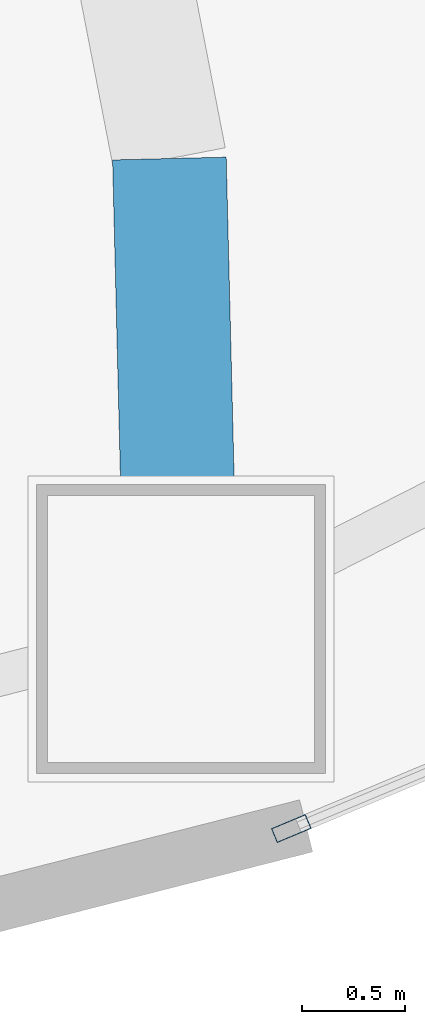
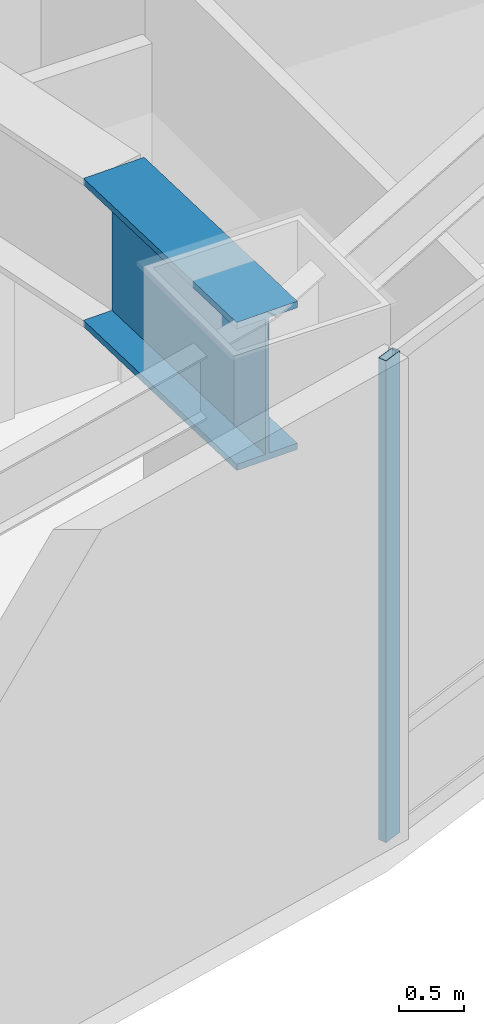
# One storey, part 2 of 19: 1 beam, 1 member, 1 element without a shape of its own.
"""IFC4 building model written with IfcOpenShell, lengths in metres."""

import ifcopenshell
import ifcopenshell.guid

model = None  # the IFC model being written
_history = None  # IfcOwnerHistory: only IFC2X3 demands one
_inside = {}  # id of a spatial element -> (the spatial element, [elements in it])
_under = {}  # id of a project, library or spatial element -> (it, [spatial elements below it])
_declared = {}  # id of a project -> (the project, [libraries it declares])
_typed = {}  # id of a type object -> (the type object, [elements of that type])
_made_of = {}  # id of a material, layer set ... -> (it, [elements and type objects made of it])


def new_model(schema):
    """Start an empty IFC model of exactly this schema.

    Asked for "IFC4X3", IfcOpenShell would pick the latest addendum, in which some entities
    have other attributes; the version numbers below select the first issue.
    IFC2X3 requires an IfcOwnerHistory on every rooted entity: one is made here for all.
    """
    global model, _history
    if schema == "IFC4X3":
        model = ifcopenshell.file(schema_version=(4, 3, 0, 0))
    else:
        model = ifcopenshell.file(schema=schema)
    _inside.clear()
    _under.clear()
    _declared.clear()
    _typed.clear()
    _made_of.clear()
    _history = None
    if model.schema == "IFC2X3":
        org = make("IfcOrganization", Name="unknown")
        user = make(
            "IfcPersonAndOrganization",
            ThePerson=make("IfcPerson", FamilyName="unknown"),
            TheOrganization=org,
        )
        app = make(
            "IfcApplication",
            ApplicationDeveloper=org,
            Version="unknown",
            ApplicationFullName="unknown",
            ApplicationIdentifier="unknown",
        )
        _history = make(
            "IfcOwnerHistory",
            OwningUser=user,
            OwningApplication=app,
            ChangeAction="ADDED",
            CreationDate=0,
        )
    return model


def make(cls, **values):
    """One entity of the class cls with the attributes given. An attribute that is None is left unset."""
    return model.create_entity(
        cls, **{name: value for name, value in values.items() if value is not None}
    )


def rooted(cls, **values):
    """An entity with a GlobalId (a new one), such as an element, a storey or a relation."""
    return make(cls, GlobalId=ifcopenshell.guid.new(), OwnerHistory=_history, **values)


def si_unit(unit_type, name, prefix=None):
    """IfcSIUnit, for example si_unit("LENGTHUNIT", "METRE", prefix="MILLI")."""
    return make("IfcSIUnit", UnitType=unit_type, Prefix=prefix, Name=name)


def assignment(units):
    """IfcUnitAssignment: the units of a project."""
    return None if units is None else make("IfcUnitAssignment", Units=units)


def point(xyz):
    """IfcCartesianPoint."""
    return None if xyz is None else make("IfcCartesianPoint", Coordinates=xyz)


def direction(xyz):
    """IfcDirection."""
    return None if xyz is None else make("IfcDirection", DirectionRatios=xyz)


def frame(location, z_axis=None, x_axis=None):
    """IfcAxis2Placement3D, a coordinate frame: its origin and axes. An axis left out is left unset."""
    return make(
        "IfcAxis2Placement3D",
        Location=point(location),
        Axis=direction(z_axis),
        RefDirection=direction(x_axis),
    )


def frame_2d(location, x_axis=None):
    """IfcAxis2Placement2D, a coordinate frame in the plane: its origin and x axis."""
    return make(
        "IfcAxis2Placement2D", Location=point(location), RefDirection=direction(x_axis)
    )


def origin():
    """The frame at (0, 0, 0) with its axes left unset."""
    return frame((0.0, 0.0, 0.0))


def origin_2d():
    """The frame at (0, 0) in the plane with its x axis left unset."""
    return frame_2d((0.0, 0.0))


def place(relative_to, where):
    """IfcLocalPlacement: puts the frame where relative to a parent placement (None: the world)."""
    return make(
        "IfcLocalPlacement", PlacementRelTo=relative_to, RelativePlacement=where
    )


def context(
    kind, dimensions, precision=None, world=None, true_north=None, identifier=None
):
    """IfcGeometricRepresentationContext, for example the 3D "Model" context."""
    return make(
        "IfcGeometricRepresentationContext",
        ContextIdentifier=identifier,
        ContextType=kind,
        CoordinateSpaceDimension=dimensions,
        Precision=precision,
        WorldCoordinateSystem=world,
        TrueNorth=true_north,
    )


def subcontext(parent, identifier, kind, view, scale=None):
    """IfcGeometricRepresentationSubContext, for example "Body" below "Model"."""
    return make(
        "IfcGeometricRepresentationSubContext",
        ContextIdentifier=identifier,
        ContextType=kind,
        ParentContext=parent,
        TargetScale=scale,
        TargetView=view,
    )


def project(units=None, contexts=None):
    """IfcProject with its units and contexts."""
    return rooted(
        "IfcProject",
        Name="project",
        RepresentationContexts=contexts,
        UnitsInContext=assignment(units),
    )


def spatial(cls, under=None, at=None, **own):
    """A site, building, storey or space (cls), placed at a placement, below another one or the project."""
    s = rooted(cls, ObjectPlacement=at, **own)
    if under is not None:
        _under.setdefault(under.id(), (under, []))[1].append(s)
    return s


def profile(cls, at=None, kind="AREA", **sizes):
    """A parametric profile (cls). Its sizes go by their IFC names, for example OverallWidth=200.0."""
    return make(cls, ProfileType=kind, Position=at, **sizes)


def hollow_rectangle(**sizes):
    """IfcRectangleHollowProfileDef."""
    return profile("IfcRectangleHollowProfileDef", **sizes)


def i_section(**sizes):
    """IfcIShapeProfileDef."""
    return profile("IfcIShapeProfileDef", **sizes)


def extrude(swept, where, along, depth):
    """IfcExtrudedAreaSolid: the profile swept, set in the frame where, extruded along a direction by depth."""
    return make(
        "IfcExtrudedAreaSolid",
        SweptArea=swept,
        Position=where,
        ExtrudedDirection=direction(along),
        Depth=depth,
    )


def shape(context_of_items, identifier, shape_type, items):
    """IfcShapeRepresentation: the items that make up one representation, for example the "Body"."""
    return make(
        "IfcShapeRepresentation",
        ContextOfItems=context_of_items,
        RepresentationIdentifier=identifier,
        RepresentationType=shape_type,
        Items=items,
    )


def material(Name=None, Category=None):
    """IfcMaterial."""
    return make("IfcMaterial", Name=Name, Category=Category)


def layer(
    of_material, thickness, ventilated=None, Name=None, Category=None, Priority=None
):
    """IfcMaterialLayer: one layer of a wall or slab, of a material (None: an air gap)."""
    return make(
        "IfcMaterialLayer",
        Material=of_material,
        LayerThickness=thickness,
        IsVentilated=ventilated,
        Name=Name,
        Category=Category,
        Priority=Priority,
    )


def layer_set(layers, Name=None):
    """IfcMaterialLayerSet."""
    return make("IfcMaterialLayerSet", MaterialLayers=layers, LayerSetName=Name)


def material_profile(
    of_material, cross_section, Name=None, Category=None, Priority=None
):
    """IfcMaterialProfile: a cross section and its material."""
    return make(
        "IfcMaterialProfile",
        Name=Name,
        Material=of_material,
        Profile=cross_section,
        Priority=Priority,
        Category=Category,
    )


def profile_set(profiles, Name=None, composite=None):
    """IfcMaterialProfileSet."""
    return make(
        "IfcMaterialProfileSet",
        Name=Name,
        MaterialProfiles=profiles,
        CompositeProfile=composite,
    )


def made_of(thing, what):
    """Note that an element or type object is made of a material, layer set ...; save() writes the relation."""
    if what is not None:
        _made_of.setdefault(what.id(), (what, []))[1].append(thing)
    return thing


def type_object(cls, material=None, **own):
    """A type object (cls), such as IfcWallType, which elements share."""
    return made_of(rooted(cls, **own), material)


def element(
    cls,
    number,
    at=None,
    inside=None,
    cuts=None,
    type_object=None,
    material=None,
    context=None,
    identifier="Body",
    shape_type=None,
    held_by="IfcProductDefinitionShape",
    body=None,
    shapes=None,
    **own,
):
    """One element of the class cls, such as IfcWall. Its Tag is "e" and its number.

    at: its placement. inside: the storey or other place that contains it. cuts: it is an
    opening in that element (IfcRelVoidsElement). A single representation is given by context,
    identifier, shape_type and body (its items); several are given by shapes. held_by: the class
    of the entity that holds the representations. save() writes the other relations.
    """
    e = rooted(cls, Tag="e%d" % number, ObjectPlacement=at, **own)
    if body is not None:
        shapes = [shape(context, identifier, shape_type, body)]
    if shapes is not None:
        e.Representation = make(held_by, Representations=shapes)
    if inside is not None:
        _inside.setdefault(inside.id(), (inside, []))[1].append(e)
    if cuts is not None:
        rooted(
            "IfcRelVoidsElement", RelatingBuildingElement=cuts, RelatedOpeningElement=e
        )
    if type_object is not None:
        _typed.setdefault(type_object.id(), (type_object, []))[1].append(e)
    return made_of(e, material)


def aggregate(whole, parts):
    """IfcRelAggregates: a whole, such as a stair, and the parts it consists of."""
    return rooted("IfcRelAggregates", RelatingObject=whole, RelatedObjects=parts)


def save(model, path):
    """Write the relations noted so far, then the file.

    IfcRelAggregates (storeys below a building ...), IfcRelContainedInSpatialStructure (elements
    in a storey), IfcRelDefinesByType, IfcRelAssociatesMaterial and IfcRelDeclares: one each for
    every whole, place, type object, material and project.
    """
    for whole, parts in _under.values():
        aggregate(whole, parts)
    for where, things in _inside.values():
        rooted(
            "IfcRelContainedInSpatialStructure",
            RelatedElements=things,
            RelatingStructure=where,
        )
    for kind, things in _typed.values():
        rooted("IfcRelDefinesByType", RelatedObjects=things, RelatingType=kind)
    for what, things in _made_of.values():
        rooted("IfcRelAssociatesMaterial", RelatedObjects=things, RelatingMaterial=what)
    for by, libraries in _declared.values():
        rooted("IfcRelDeclares", RelatingContext=by, RelatedDefinitions=libraries)
    model.write(path)


model = new_model("IFC4")

# Units and contexts
model_context = context("Model", 3, precision=1e-05, world=origin(), true_north=direction((0.0, 1.0)))
body_context = subcontext(model_context, "Body", "Model", "MODEL_VIEW")
ifc_project = project(units=[si_unit("LENGTHUNIT", "METRE"), si_unit("AREAUNIT", "SQUARE_METRE"), si_unit("VOLUMEUNIT", "CUBIC_METRE"), si_unit("PLANEANGLEUNIT", "RADIAN"), si_unit("MASSUNIT", "GRAM", prefix="KILO")], contexts=[model_context])

# Site, building, storey
site_placement = place(None, origin())
site = spatial("IfcSite", under=ifc_project, at=site_placement, CompositionType="ELEMENT")
building_placement = place(site_placement, origin())
building = spatial("IfcBuilding", under=site, at=building_placement, Name="Menara Vayukalpa", CompositionType="ELEMENT")
storey_placement = place(building_placement, frame((0.0, 0.0, 22.800048828125)))
storey = spatial("IfcBuildingStorey", under=building, at=storey_placement, Name="L04", CompositionType="ELEMENT", Elevation=22.800048828125)

# Beam
ifc_material_1 = material(Name="Steel S460", Category="steel")
ifc_material_profile_1 = material_profile(ifc_material_1, i_section(OverallWidth=0.550048828125, OverallDepth=1.39990234375, WebThickness=0.031982421875, FlangeThickness=0.06005859375, at=origin_2d()), Name="WG 1400x550x32x60")
ifc_profile_set_1 = profile_set([ifc_material_profile_1], Name="Steel S460")
beam_type = type_object("IfcBeamType", Name="BM-TG1", PredefinedType="BEAM", material=ifc_profile_set_1)
beam_placement = place(storey_placement, frame((23.41943359375, 10.0771484375, 3.849853515625), z_axis=(0.024654737929, -0.999696025749, 0.0), x_axis=(0.999696025749, 0.024654737929, 0.0)))
element("IfcBeam", 1, at=beam_placement, inside=storey, type_object=beam_type, Name="L04 Radial Transfer Girder Outer 08", PredefinedType="BEAM", context=body_context, shape_type="SweptSolid", body=[
    extrude(i_section(OverallWidth=0.550048828125, OverallDepth=1.39990234375, WebThickness=0.031982421875, FlangeThickness=0.06005859375, at=origin_2d()), origin(), (0.0, 0.0, 1.0), 2.277587890625),
])

# Curtain wall, member
ifc_material_2 = material(Name="Anodised Terracotta Aluminium Alloy 6063-T6", Category="masonry")
ifc_layer = layer(ifc_material_2, 0.179931640625)
ifc_layer_set = layer_set([ifc_layer], Name="Anodised Terracotta Aluminium Alloy 6063-T6")
curtain_wall_type = type_object("IfcCurtainWallType", Name="CW-CW1", PredefinedType="USERDEFINED", material=ifc_layer_set)
curtain_wall_placement = place(storey_placement, origin())
curtain_wall = element("IfcCurtainWall", 2, at=curtain_wall_placement, inside=storey, type_object=curtain_wall_type, Name="L04 Podium Unitised Ribbon Curtain Wall CW1 16", ObjectType="UNITISED", PredefinedType="USERDEFINED")
ifc_material_3 = material(Name="Anodised Terracotta Aluminium Alloy 6063-T6", Category="masonry")
ifc_material_profile_2 = material_profile(ifc_material_3, hollow_rectangle(XDim=0.074951171875, YDim=0.179931640625, WallThickness=0.00390625, at=origin_2d()), Name="ALU 75x180x4")
ifc_profile_set_2 = profile_set([ifc_material_profile_2], Name="Anodised Terracotta Aluminium Alloy 6063-T6")
member_type = type_object("IfcMemberType", Name="CWM-CW1", PredefinedType="MULLION", material=ifc_profile_set_2)
member_placement = place(storey_placement, frame((24.00927734375, 6.83447265625, 0.0), z_axis=(0.0, 0.0, 1.0), x_axis=(-0.385890613077, 0.922544543499, 0.0)))
member = element("IfcMember", 3, at=member_placement, type_object=member_type, Name="CW1 mullion 1", PredefinedType="MULLION", context=body_context, shape_type="SweptSolid", body=[
    extrude(hollow_rectangle(XDim=0.074951171875, YDim=0.179931640625, WallThickness=0.00390625, at=origin_2d()), origin(), (0.0, 0.0, 1.0), 4.550048828125),
])
aggregate(curtain_wall, [member])

save(model, "model.ifc")
